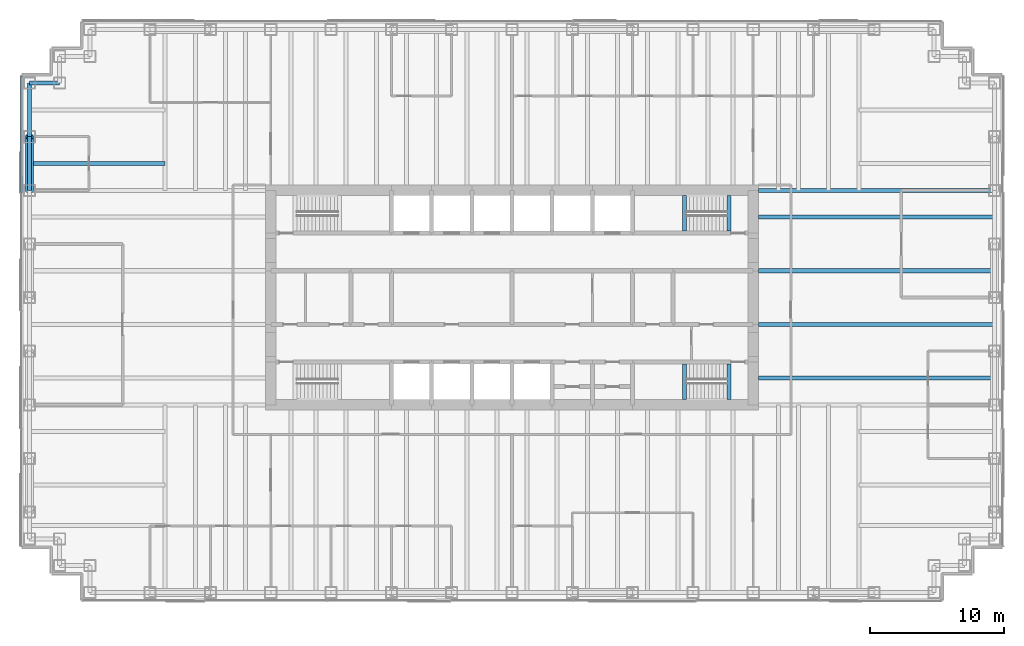
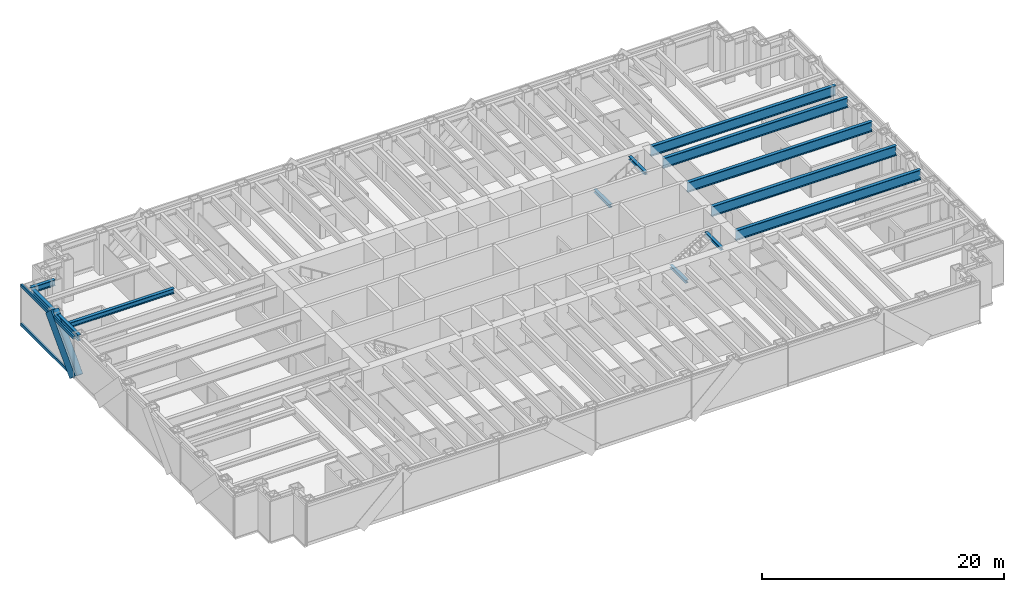
# One storey, part 5 of 15: 13 beams, 4 members, 1 element without a shape of its own.
"""IFC4 building model written with IfcOpenShell, lengths in metres."""

import ifcopenshell
import ifcopenshell.guid

model = None  # the IFC model being written
_history = None  # IfcOwnerHistory: only IFC2X3 demands one
_inside = {}  # id of a spatial element -> (the spatial element, [elements in it])
_under = {}  # id of a project, library or spatial element -> (it, [spatial elements below it])
_declared = {}  # id of a project -> (the project, [libraries it declares])
_typed = {}  # id of a type object -> (the type object, [elements of that type])
_made_of = {}  # id of a material, layer set ... -> (it, [elements and type objects made of it])


def new_model(schema):
    """Start an empty IFC model of exactly this schema.

    Asked for "IFC4X3", IfcOpenShell would pick the latest addendum, in which some entities
    have other attributes; the version numbers below select the first issue.
    IFC2X3 requires an IfcOwnerHistory on every rooted entity: one is made here for all.
    """
    global model, _history
    if schema == "IFC4X3":
        model = ifcopenshell.file(schema_version=(4, 3, 0, 0))
    else:
        model = ifcopenshell.file(schema=schema)
    _inside.clear()
    _under.clear()
    _declared.clear()
    _typed.clear()
    _made_of.clear()
    _history = None
    if model.schema == "IFC2X3":
        org = make("IfcOrganization", Name="unknown")
        user = make(
            "IfcPersonAndOrganization",
            ThePerson=make("IfcPerson", FamilyName="unknown"),
            TheOrganization=org,
        )
        app = make(
            "IfcApplication",
            ApplicationDeveloper=org,
            Version="unknown",
            ApplicationFullName="unknown",
            ApplicationIdentifier="unknown",
        )
        _history = make(
            "IfcOwnerHistory",
            OwningUser=user,
            OwningApplication=app,
            ChangeAction="ADDED",
            CreationDate=0,
        )
    return model


def make(cls, **values):
    """One entity of the class cls with the attributes given. An attribute that is None is left unset."""
    return model.create_entity(
        cls, **{name: value for name, value in values.items() if value is not None}
    )


def rooted(cls, **values):
    """An entity with a GlobalId (a new one), such as an element, a storey or a relation."""
    return make(cls, GlobalId=ifcopenshell.guid.new(), OwnerHistory=_history, **values)


def si_unit(unit_type, name, prefix=None):
    """IfcSIUnit, for example si_unit("LENGTHUNIT", "METRE", prefix="MILLI")."""
    return make("IfcSIUnit", UnitType=unit_type, Prefix=prefix, Name=name)


def assignment(units):
    """IfcUnitAssignment: the units of a project."""
    return None if units is None else make("IfcUnitAssignment", Units=units)


def point(xyz):
    """IfcCartesianPoint."""
    return None if xyz is None else make("IfcCartesianPoint", Coordinates=xyz)


def direction(xyz):
    """IfcDirection."""
    return None if xyz is None else make("IfcDirection", DirectionRatios=xyz)


def frame(location, z_axis=None, x_axis=None):
    """IfcAxis2Placement3D, a coordinate frame: its origin and axes. An axis left out is left unset."""
    return make(
        "IfcAxis2Placement3D",
        Location=point(location),
        Axis=direction(z_axis),
        RefDirection=direction(x_axis),
    )


def frame_2d(location, x_axis=None):
    """IfcAxis2Placement2D, a coordinate frame in the plane: its origin and x axis."""
    return make(
        "IfcAxis2Placement2D", Location=point(location), RefDirection=direction(x_axis)
    )


def origin():
    """The frame at (0, 0, 0) with its axes left unset."""
    return frame((0.0, 0.0, 0.0))


def origin_2d():
    """The frame at (0, 0) in the plane with its x axis left unset."""
    return frame_2d((0.0, 0.0))


def place(relative_to, where):
    """IfcLocalPlacement: puts the frame where relative to a parent placement (None: the world)."""
    return make(
        "IfcLocalPlacement", PlacementRelTo=relative_to, RelativePlacement=where
    )


def context(
    kind, dimensions, precision=None, world=None, true_north=None, identifier=None
):
    """IfcGeometricRepresentationContext, for example the 3D "Model" context."""
    return make(
        "IfcGeometricRepresentationContext",
        ContextIdentifier=identifier,
        ContextType=kind,
        CoordinateSpaceDimension=dimensions,
        Precision=precision,
        WorldCoordinateSystem=world,
        TrueNorth=true_north,
    )


def subcontext(parent, identifier, kind, view, scale=None):
    """IfcGeometricRepresentationSubContext, for example "Body" below "Model"."""
    return make(
        "IfcGeometricRepresentationSubContext",
        ContextIdentifier=identifier,
        ContextType=kind,
        ParentContext=parent,
        TargetScale=scale,
        TargetView=view,
    )


def project(units=None, contexts=None):
    """IfcProject with its units and contexts."""
    return rooted(
        "IfcProject",
        Name="project",
        RepresentationContexts=contexts,
        UnitsInContext=assignment(units),
    )


def spatial(cls, under=None, at=None, **own):
    """A site, building, storey or space (cls), placed at a placement, below another one or the project."""
    s = rooted(cls, ObjectPlacement=at, **own)
    if under is not None:
        _under.setdefault(under.id(), (under, []))[1].append(s)
    return s


def profile(cls, at=None, kind="AREA", **sizes):
    """A parametric profile (cls). Its sizes go by their IFC names, for example OverallWidth=200.0."""
    return make(cls, ProfileType=kind, Position=at, **sizes)


def rectangle(**sizes):
    """IfcRectangleProfileDef."""
    return profile("IfcRectangleProfileDef", **sizes)


def hollow_circle(**sizes):
    """IfcCircleHollowProfileDef."""
    return profile("IfcCircleHollowProfileDef", **sizes)


def i_section(**sizes):
    """IfcIShapeProfileDef."""
    return profile("IfcIShapeProfileDef", **sizes)


def extrude(swept, where, along, depth):
    """IfcExtrudedAreaSolid: the profile swept, set in the frame where, extruded along a direction by depth."""
    return make(
        "IfcExtrudedAreaSolid",
        SweptArea=swept,
        Position=where,
        ExtrudedDirection=direction(along),
        Depth=depth,
    )


def shape(context_of_items, identifier, shape_type, items):
    """IfcShapeRepresentation: the items that make up one representation, for example the "Body"."""
    return make(
        "IfcShapeRepresentation",
        ContextOfItems=context_of_items,
        RepresentationIdentifier=identifier,
        RepresentationType=shape_type,
        Items=items,
    )


def material(Name=None, Category=None):
    """IfcMaterial."""
    return make("IfcMaterial", Name=Name, Category=Category)


def material_profile(
    of_material, cross_section, Name=None, Category=None, Priority=None
):
    """IfcMaterialProfile: a cross section and its material."""
    return make(
        "IfcMaterialProfile",
        Name=Name,
        Material=of_material,
        Profile=cross_section,
        Priority=Priority,
        Category=Category,
    )


def profile_set(profiles, Name=None, composite=None):
    """IfcMaterialProfileSet."""
    return make(
        "IfcMaterialProfileSet",
        Name=Name,
        MaterialProfiles=profiles,
        CompositeProfile=composite,
    )


def made_of(thing, what):
    """Note that an element or type object is made of a material, layer set ...; save() writes the relation."""
    if what is not None:
        _made_of.setdefault(what.id(), (what, []))[1].append(thing)
    return thing


def type_object(cls, material=None, **own):
    """A type object (cls), such as IfcWallType, which elements share."""
    return made_of(rooted(cls, **own), material)


def element(
    cls,
    number,
    at=None,
    inside=None,
    cuts=None,
    type_object=None,
    material=None,
    context=None,
    identifier="Body",
    shape_type=None,
    held_by="IfcProductDefinitionShape",
    body=None,
    shapes=None,
    **own,
):
    """One element of the class cls, such as IfcWall. Its Tag is "e" and its number.

    at: its placement. inside: the storey or other place that contains it. cuts: it is an
    opening in that element (IfcRelVoidsElement). A single representation is given by context,
    identifier, shape_type and body (its items); several are given by shapes. held_by: the class
    of the entity that holds the representations. save() writes the other relations.
    """
    e = rooted(cls, Tag="e%d" % number, ObjectPlacement=at, **own)
    if body is not None:
        shapes = [shape(context, identifier, shape_type, body)]
    if shapes is not None:
        e.Representation = make(held_by, Representations=shapes)
    if inside is not None:
        _inside.setdefault(inside.id(), (inside, []))[1].append(e)
    if cuts is not None:
        rooted(
            "IfcRelVoidsElement", RelatingBuildingElement=cuts, RelatedOpeningElement=e
        )
    if type_object is not None:
        _typed.setdefault(type_object.id(), (type_object, []))[1].append(e)
    return made_of(e, material)


def aggregate(whole, parts):
    """IfcRelAggregates: a whole, such as a stair, and the parts it consists of."""
    return rooted("IfcRelAggregates", RelatingObject=whole, RelatedObjects=parts)


def save(model, path):
    """Write the relations noted so far, then the file.

    IfcRelAggregates (storeys below a building ...), IfcRelContainedInSpatialStructure (elements
    in a storey), IfcRelDefinesByType, IfcRelAssociatesMaterial and IfcRelDeclares: one each for
    every whole, place, type object, material and project.
    """
    for whole, parts in _under.values():
        aggregate(whole, parts)
    for where, things in _inside.values():
        rooted(
            "IfcRelContainedInSpatialStructure",
            RelatedElements=things,
            RelatingStructure=where,
        )
    for kind, things in _typed.values():
        rooted("IfcRelDefinesByType", RelatedObjects=things, RelatingType=kind)
    for what, things in _made_of.values():
        rooted("IfcRelAssociatesMaterial", RelatedObjects=things, RelatingMaterial=what)
    for by, libraries in _declared.values():
        rooted("IfcRelDeclares", RelatingContext=by, RelatedDefinitions=libraries)
    model.write(path)


model = new_model("IFC4")

# Units and contexts
model_context = context("Model", 3, precision=1e-05, world=origin(), true_north=direction((0.0, 1.0)))
body_context = subcontext(model_context, "Body", "Model", "MODEL_VIEW")
ifc_project = project(units=[si_unit("LENGTHUNIT", "METRE"), si_unit("AREAUNIT", "SQUARE_METRE"), si_unit("VOLUMEUNIT", "CUBIC_METRE"), si_unit("PLANEANGLEUNIT", "RADIAN"), si_unit("MASSUNIT", "GRAM", prefix="KILO")], contexts=[model_context])

# Site, building, storey
site_placement = place(None, origin())
site = spatial("IfcSite", under=ifc_project, at=site_placement, CompositionType="ELEMENT")
building_placement = place(site_placement, origin())
building = spatial("IfcBuilding", under=site, at=building_placement, Name="Rheinbord Bourse Tower", CompositionType="ELEMENT")
storey_placement = place(building_placement, frame((0.0, 0.0, 248.800048828125)))
storey = spatial("IfcBuildingStorey", under=building, at=storey_placement, Name="L56", CompositionType="ELEMENT", Elevation=248.800048828125)

# Curtain wall, members
ifc_material_1 = material(Name="Dark glass and black aluminium", Category="aluminium")
curtain_wall_type = type_object("IfcCurtainWallType", Name="CW2 DARK GLASS CURTAIN WALL", PredefinedType="USERDEFINED", material=ifc_material_1)
curtain_wall_placement = place(storey_placement, origin())
curtain_wall = element("IfcCurtainWall", 1, at=curtain_wall_placement, inside=storey, type_object=curtain_wall_type, Name="Curtain wall CW2 W L56", ObjectType="UNITISED CURTAIN WALL", PredefinedType="USERDEFINED")
ifc_material_2 = material(Name="Black anodised aluminium", Category="aluminium")
ifc_material_profile_1 = material_profile(ifc_material_2, rectangle(XDim=0.159912109375, YDim=1.2099609375, at=origin_2d()), Name="CW2 DIAGONAL MULLION 1210x160")
ifc_profile_set_1 = profile_set([ifc_material_profile_1], Name="Black anodised aluminium")
member_type_1 = type_object("IfcMemberType", Name="CW2 BLACK DIAGONAL MULLION", PredefinedType="USERDEFINED", material=ifc_profile_set_1)
member_1_placement = place(storey_placement, frame((-0.60009765625, 32.0, 0.0), z_axis=(0.0, 0.689659376744, 0.724133926887), x_axis=(-1.0, 0.0, 0.0)))
member_1 = element("IfcMember", 2, at=member_1_placement, type_object=member_type_1, Name="CW2 diagonal mullion c", ObjectType="DIAGONAL MULLION", PredefinedType="USERDEFINED", context=body_context, shape_type="SweptSolid", body=[
    extrude(rectangle(XDim=0.159912109375, YDim=1.2099609375, at=origin_2d()), origin(), (0.0, 0.0, 1.0), 5.800048828125),
])
ifc_material_3 = material(Name="Black anodised aluminium", Category="aluminium")
ifc_material_profile_2 = material_profile(ifc_material_3, rectangle(XDim=0.159912109375, YDim=0.300048828125, at=origin_2d()), Name="CW2 TRANSOM 300x160")
ifc_profile_set_2 = profile_set([ifc_material_profile_2], Name="Black anodised aluminium")
member_type_2 = type_object("IfcMemberType", Name="CW2 BLACK TRANSOM", PredefinedType="USERDEFINED", material=ifc_profile_set_2)
member_2_placement = place(storey_placement, frame((-0.60009765625, 40.530029296875, 0.14990234375), z_axis=(0.0, -1.0, 0.0), x_axis=(1.0, 0.0, 0.0)))
member_2 = element("IfcMember", 3, at=member_2_placement, type_object=member_type_2, Name="CW2 transom 1.1", ObjectType="TRANSOM", PredefinedType="USERDEFINED", context=body_context, shape_type="SweptSolid", body=[
    extrude(rectangle(XDim=0.159912109375, YDim=0.300048828125, at=origin_2d()), origin(), (0.0, 0.0, 1.0), 8.695068359375),
])
member_3_placement = place(storey_placement, frame((-0.60009765625, 40.530029296875, 4.050048828125), z_axis=(0.0, -1.0, 0.0), x_axis=(1.0, 0.0, 0.0)))
member_3 = element("IfcMember", 4, at=member_3_placement, type_object=member_type_2, Name="CW2 transom 1.2", ObjectType="TRANSOM", PredefinedType="USERDEFINED", context=body_context, shape_type="SweptSolid", body=[
    extrude(rectangle(XDim=0.159912109375, YDim=0.300048828125, at=origin_2d()), origin(), (0.0, 0.0, 1.0), 8.695068359375),
])
aggregate(curtain_wall, [member_2, member_3, member_1])

# Beams
ifc_material_4 = material(Name="Steel S460", Category="steel")
ifc_material_profile_3 = material_profile(ifc_material_4, i_section(OverallWidth=0.302001953125, OverallDepth=1.008056640625, WebThickness=0.02099609375, FlangeThickness=0.0400390625, at=origin_2d()), Name="HEM 1000")
ifc_profile_set_3 = profile_set([ifc_material_profile_3], Name="Steel S460")
beam_type_1 = type_object("IfcBeamType", Name="END BEAM HEM 1000", PredefinedType="BEAM", material=ifc_profile_set_3)
for number, where, z_axis, x_axis, name in (
    (5, (54.39990234375, 18.0, 3.535888671875), (1.0, 0.0, 0.0), (0.0, 1.0, 0.0), "End beam east 18 L57"),
    (6, (54.39990234375, 22.0, 3.535888671875), (1.0, 0.0, 0.0), (0.0, 1.0, 0.0), "End beam east 22 L57"),
    (7, (54.39990234375, 26.0, 3.535888671875), (1.0, 0.0, 0.0), (0.0, 1.0, 0.0), "End beam east 26 L57"),
    (8, (54.39990234375, 30.0, 3.535888671875), (1.0, 0.0, 0.0), (0.0, 1.0, 0.0), "End beam east 30 L57"),
):
    element("IfcBeam", number, at=place(storey_placement, frame(where, z_axis=z_axis, x_axis=x_axis)), inside=storey, type_object=beam_type_1, Name=name, PredefinedType="BEAM", context=body_context, shape_type="SweptSolid", body=[
        extrude(i_section(OverallWidth=0.302001953125, OverallDepth=1.008056640625, WebThickness=0.02099609375, FlangeThickness=0.0400390625, at=origin_2d()), origin(), (0.0, 0.0, 1.0), 17.60009765625),
    ])
ifc_material_5 = material(Name="Steel S460", Category="steel")
ifc_material_profile_4 = material_profile(ifc_material_5, i_section(OverallWidth=0.302001953125, OverallDepth=1.008056640625, WebThickness=0.02099609375, FlangeThickness=0.0400390625, at=origin_2d()), Name="HEM 1000")
ifc_profile_set_4 = profile_set([ifc_material_profile_4], Name="Steel S460")
beam_type_2 = type_object("IfcBeamType", Name="GIRDER HEM 1000", PredefinedType="BEAM", material=ifc_profile_set_4)
beam_1_placement = place(storey_placement, frame((54.39990234375, 32.0, 3.535888671875), z_axis=(1.0, 0.0, 0.0), x_axis=(0.0, 1.0, 0.0)))
element("IfcBeam", 9, at=beam_1_placement, inside=storey, type_object=beam_type_2, Name="Girder east 32 L57", PredefinedType="BEAM", context=body_context, shape_type="SweptSolid", body=[
    extrude(i_section(OverallWidth=0.302001953125, OverallDepth=1.008056640625, WebThickness=0.02099609375, FlangeThickness=0.0400390625, at=origin_2d()), origin(), (0.0, 0.0, 1.0), 17.60009765625),
])
ifc_material_6 = material(Name="Steel S460", Category="steel")
ifc_material_profile_5 = material_profile(ifc_material_6, i_section(OverallWidth=0.300048828125, OverallDepth=0.300048828125, WebThickness=0.010986328125, FlangeThickness=0.01904296875, at=origin_2d()), Name="HEB 300")
ifc_profile_set_5 = profile_set([ifc_material_profile_5], Name="Steel S460")
beam_type_3 = type_object("IfcBeamType", Name="LANDING TRIMMER HEB 300", PredefinedType="BEAM", material=ifc_profile_set_5)
for number, where, z_axis, x_axis, name in (
    (10, (48.8701171875, 16.39990234375, 1.75), (0.0, 1.0, 0.0), (-1.0, 0.0, 0.0), "Landing trimmer ST3 L56"),
    (11, (52.199951171875, 16.39990234375, 3.889892578125), (0.0, 1.0, 0.0), (-1.0, 0.0, 0.0), "Well trimmer ST3 under L57"),
    (12, (48.8701171875, 28.949951171875, 1.75), (0.0, 1.0, 0.0), (-1.0, 0.0, 0.0), "Landing trimmer ST4 L56"),
    (13, (52.199951171875, 28.949951171875, 3.889892578125), (0.0, 1.0, 0.0), (-1.0, 0.0, 0.0), "Well trimmer ST4 under L57"),
):
    element("IfcBeam", number, at=place(storey_placement, frame(where, z_axis=z_axis, x_axis=x_axis)), inside=storey, type_object=beam_type_3, Name=name, PredefinedType="BEAM", context=body_context, shape_type="SweptSolid", body=[
        extrude(i_section(OverallWidth=0.300048828125, OverallDepth=0.300048828125, WebThickness=0.010986328125, FlangeThickness=0.01904296875, at=origin_2d()), origin(), (0.0, 0.0, 1.0), 2.650146484375),
    ])

# Member
ifc_material_7 = material(Name="Steel S460", Category="steel")
ifc_material_profile_6 = material_profile(ifc_material_7, hollow_circle(Radius=0.304931640625, WallThickness=0.0400390625, at=origin_2d()), Name="CHS 610x40")
ifc_profile_set_6 = profile_set([ifc_material_profile_6], Name="Steel S460")
member_type_3 = type_object("IfcMemberType", Name="MEGABRACE CHS 610x40", PredefinedType="BRACE", material=ifc_profile_set_6)
member_4_placement = place(storey_placement, frame((0.0, 32.0, 0.0), z_axis=(0.0, 0.689659376744, 0.724133926887), x_axis=(-1.0, 0.0, 0.0)))
element("IfcMember", 14, at=member_4_placement, inside=storey, type_object=member_type_3, Name="Megabrace W face line c L56", PredefinedType="BRACE", context=body_context, shape_type="SweptSolid", body=[
    extrude(hollow_circle(Radius=0.304931640625, WallThickness=0.0400390625, at=origin_2d()), origin(), (0.0, 0.0, 1.0), 5.800048828125),
])

# Beams
ifc_material_8 = material(Name="Steel S460", Category="steel")
ifc_material_profile_7 = material_profile(ifc_material_8, i_section(OverallWidth=0.300048828125, OverallDepth=0.60009765625, WebThickness=0.015380859375, FlangeThickness=0.030029296875, at=origin_2d()), Name="HEB 600")
ifc_profile_set_7 = profile_set([ifc_material_profile_7], Name="Steel S460")
beam_type_4 = type_object("IfcBeamType", Name="SPANDREL HEB 600", PredefinedType="SPANDREL", material=ifc_profile_set_7)
beam_2_placement = place(storey_placement, frame((2.25, 40.0, 3.739990234375), z_axis=(-1.0, 0.0, 0.0), x_axis=(0.0, -1.0, 0.0)))
element("IfcBeam", 15, at=beam_2_placement, inside=storey, type_object=beam_type_4, Name="Spandrel NW-B-NW-A under L57", PredefinedType="SPANDREL", context=body_context, shape_type="SweptSolid", body=[
    extrude(i_section(OverallWidth=0.300048828125, OverallDepth=0.60009765625, WebThickness=0.015380859375, FlangeThickness=0.030029296875, at=origin_2d()), origin(), (0.0, 0.0, 1.0), 2.25),
])
for number, where, z_axis, x_axis, name in (
    (16, (0.0, 40.0, 3.739990234375), (0.0, -1.0, 0.0), (1.0, 0.0, 0.0), "Spandrel NW-A-W-36 under L57"),
    (17, (0.0, 36.0, 3.739990234375), (0.0, -1.0, 0.0), (1.0, 0.0, 0.0), "Spandrel W-36-W-32 under L57"),
):
    element("IfcBeam", number, at=place(storey_placement, frame(where, z_axis=z_axis, x_axis=x_axis)), inside=storey, type_object=beam_type_4, Name=name, PredefinedType="SPANDREL", context=body_context, shape_type="SweptSolid", body=[
        extrude(i_section(OverallWidth=0.300048828125, OverallDepth=0.60009765625, WebThickness=0.015380859375, FlangeThickness=0.030029296875, at=origin_2d()), origin(), (0.0, 0.0, 1.0), 4.0),
    ])
ifc_material_9 = material(Name="Steel S460", Category="steel")
ifc_material_profile_8 = material_profile(ifc_material_9, i_section(OverallWidth=0.300048828125, OverallDepth=0.5, WebThickness=0.014404296875, FlangeThickness=0.028076171875, at=origin_2d()), Name="HEB 500")
ifc_profile_set_8 = profile_set([ifc_material_profile_8], Name="Steel S460")
beam_type_5 = type_object("IfcBeamType", Name="TIE BEAM HEB 500", PredefinedType="JOIST", material=ifc_profile_set_8)
beam_3_placement = place(storey_placement, frame((0.0, 34.0, 3.7900390625), z_axis=(1.0, 0.0, 0.0), x_axis=(0.0, 1.0, 0.0)))
element("IfcBeam", 18, at=beam_3_placement, inside=storey, type_object=beam_type_5, Name="Tie west 34 L57", PredefinedType="JOIST", context=body_context, shape_type="SweptSolid", body=[
    extrude(i_section(OverallWidth=0.300048828125, OverallDepth=0.5, WebThickness=0.014404296875, FlangeThickness=0.028076171875, at=origin_2d()), origin(), (0.0, 0.0, 1.0), 10.125),
])

save(model, "model.ifc")
